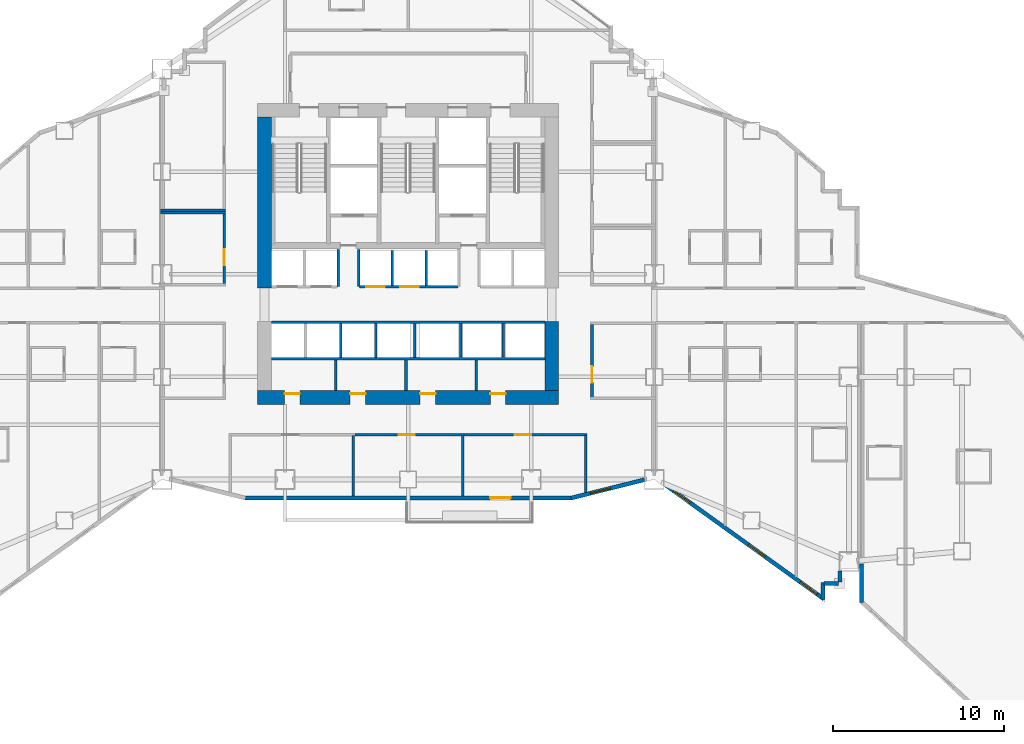
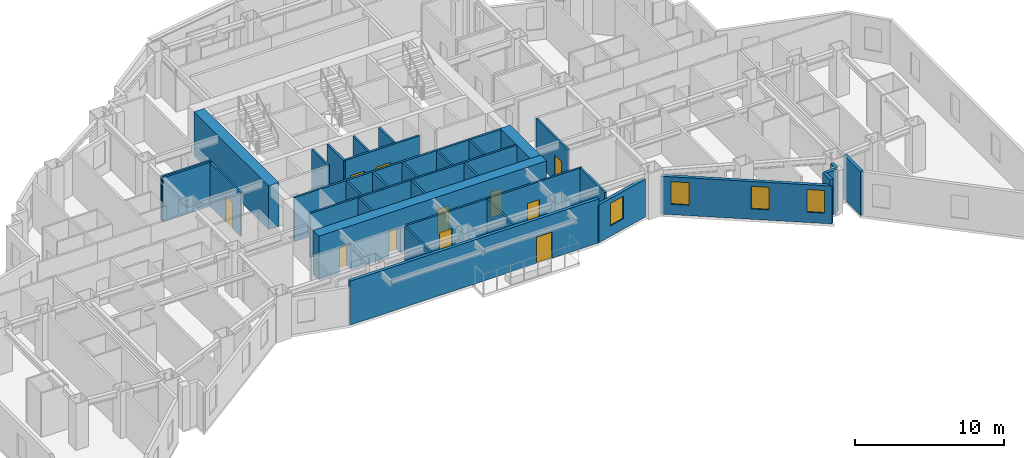
# One storey, part 9 of 17: 34 walls, 11 doors, 4 windows, 15 openings.
"""IFC4 building model written with IfcOpenShell, lengths in metres."""

from ifc_helpers import new_model, si_unit, direction, frame, frame_2d, origin, place, context, subcontext, project, spatial, rectangle, extrude, material, layer, layer_set, type_object, element, fill, save


model = new_model("IFC4")

# Units and contexts
model_context = context("Model", 3, precision=1e-05, world=origin(), true_north=direction((0.0, 1.0)))
body_context = subcontext(model_context, "Body", "Model", "MODEL_VIEW")
ifc_project = project(units=[si_unit("LENGTHUNIT", "METRE"), si_unit("AREAUNIT", "SQUARE_METRE"), si_unit("VOLUMEUNIT", "CUBIC_METRE"), si_unit("PLANEANGLEUNIT", "RADIAN"), si_unit("MASSUNIT", "GRAM", prefix="KILO")], contexts=[model_context])

# Site, building, storey
site_placement = place(None, origin())
site = spatial("IfcSite", under=ifc_project, at=site_placement, CompositionType="ELEMENT")
building_placement = place(site_placement, origin())
building = spatial("IfcBuilding", under=site, at=building_placement, Name="Haolan Belvedere Tower", CompositionType="ELEMENT")
storey_placement = place(building_placement, frame((0.0, 0.0, 81.800048828125)))
storey = spatial("IfcBuildingStorey", under=building, at=storey_placement, Name="L20", CompositionType="ELEMENT", Elevation=81.800048828125)

# Wall, openings, doors
ifc_material_1 = material(Name="Concrete C70/85", Category="concrete")
ifc_layer_1 = layer(ifc_material_1, 0.800048828125, Name="Concrete C70/85")
ifc_layer_set_1 = layer_set([ifc_layer_1], Name="Concrete C70/85")
wall_type_1 = type_object("IfcWallType", Name="WL-CORE-800", PredefinedType="SHEAR", material=ifc_layer_set_1)
wall_1_placement = place(storey_placement, frame((29.60009765625, 26.39990234375, 0.0), z_axis=(0.0, 0.0, 1.0), x_axis=(1.0, 0.0, 0.0)))
wall_1 = element("IfcWall", 1, at=wall_1_placement, inside=storey, type_object=wall_type_1, Name="L20 central core south shear wall", PredefinedType="SHEAR", context=body_context, shape_type="SweptSolid", body=[
    extrude(rectangle(XDim=17.599853515625, YDim=0.800048828125, at=frame_2d((8.7998046875, 0.0))), origin(), (0.0, 0.0, 1.0), 3.599853515625),
])
opening_1_placement = place(wall_1_placement, frame((2.469970703125, 0.0, 0.0), z_axis=(0.0, 0.0, 1.0), x_axis=(-1.0, 0.0, 0.0)))
opening_1 = element("IfcOpeningElement", 2, at=opening_1_placement, cuts=wall_1, Name="Opening FD-05", PredefinedType="OPENING", context=body_context, shape_type="SweptSolid", body=[
    extrude(rectangle(XDim=0.89990234375, YDim=2.10009765625, at=frame_2d((0.449951171875, 1.050048828125))), frame((0.0, 0.409912109375, 0.0), z_axis=(0.0, -1.0, 0.0), x_axis=(1.0, 0.0, 0.0)), (0.0, 0.0, 1.0), 0.820068359375),
])
opening_2_placement = place(wall_1_placement, frame((6.309814453125, 0.0, 0.0), z_axis=(0.0, 0.0, 1.0), x_axis=(-1.0, 0.0, 0.0)))
opening_2 = element("IfcOpeningElement", 3, at=opening_2_placement, cuts=wall_1, Name="Opening FD-05", PredefinedType="OPENING", context=body_context, shape_type="SweptSolid", body=[
    extrude(rectangle(XDim=0.89990234375, YDim=2.10009765625, at=frame_2d((0.449951171875, 1.050048828125))), frame((0.0, 0.409912109375, 0.0), z_axis=(0.0, -1.0, 0.0), x_axis=(1.0, 0.0, 0.0)), (0.0, 0.0, 1.0), 0.820068359375),
])
opening_3_placement = place(wall_1_placement, frame((10.409912109375, 0.0, 0.0), z_axis=(0.0, 0.0, 1.0), x_axis=(-1.0, 0.0, 0.0)))
opening_3 = element("IfcOpeningElement", 4, at=opening_3_placement, cuts=wall_1, Name="Opening FD-05", PredefinedType="OPENING", context=body_context, shape_type="SweptSolid", body=[
    extrude(rectangle(XDim=0.89990234375, YDim=2.10009765625, at=frame_2d((0.449951171875, 1.050048828125))), frame((0.0, 0.409912109375, 0.0), z_axis=(0.0, -1.0, 0.0), x_axis=(1.0, 0.0, 0.0)), (0.0, 0.0, 1.0), 0.820068359375),
])
opening_4_placement = place(wall_1_placement, frame((14.510009765625, 0.0, 0.0), z_axis=(0.0, 0.0, 1.0), x_axis=(-1.0, 0.0, 0.0)))
opening_4 = element("IfcOpeningElement", 5, at=opening_4_placement, cuts=wall_1, Name="Opening FD-05", PredefinedType="OPENING", context=body_context, shape_type="SweptSolid", body=[
    extrude(rectangle(XDim=0.89990234375, YDim=2.10009765625, at=frame_2d((0.449951171875, 1.050048828125))), frame((0.0, 0.409912109375, 0.0), z_axis=(0.0, -1.0, 0.0), x_axis=(1.0, 0.0, 0.0)), (0.0, 0.0, 1.0), 0.820068359375),
])
ifc_material_2 = material(Name="Galvanised fire-rated steel", Category="steel")
door_type_1 = type_object("IfcDoorType", Name="DR-FD60-900", OperationType="NOTDEFINED", PredefinedType="DOOR", material=ifc_material_2)
door_1_placement = place(opening_1_placement, origin())
door_1 = element("IfcDoor", 6, at=door_1_placement, inside=storey, type_object=door_type_1, Name="L20 door CD-L20-SCV-1", OperationType="SINGLE_SWING_LEFT", OverallHeight=2.10009765625, OverallWidth=0.89990234375, PredefinedType="DOOR", context=body_context, shape_type="SweptSolid", body=[
    extrude(rectangle(XDim=0.89990234375, YDim=2.10009765625, at=frame_2d((0.449951171875, 1.050048828125))), frame((0.0, -0.19482421875, 0.0), z_axis=(0.0, -1.0, 0.0), x_axis=(1.0, 0.0, 0.0)), (0.0, 0.0, 1.0), 0.050048828125),
])
fill(opening_1, door_1)
door_2_placement = place(opening_2_placement, origin())
door_2 = element("IfcDoor", 7, at=door_2_placement, inside=storey, type_object=door_type_1, Name="L20 door CD-L20-SCV-2", OperationType="SINGLE_SWING_RIGHT", OverallHeight=2.10009765625, OverallWidth=0.89990234375, PredefinedType="DOOR", context=body_context, shape_type="SweptSolid", body=[
    extrude(rectangle(XDim=0.89990234375, YDim=2.10009765625, at=frame_2d((0.449951171875, 1.050048828125))), frame((0.0, -0.19482421875, 0.0), z_axis=(0.0, -1.0, 0.0), x_axis=(1.0, 0.0, 0.0)), (0.0, 0.0, 1.0), 0.050048828125),
])
fill(opening_2, door_2)
door_3_placement = place(opening_3_placement, origin())
door_3 = element("IfcDoor", 8, at=door_3_placement, inside=storey, type_object=door_type_1, Name="L20 door CD-L20-SCV-3", OperationType="SINGLE_SWING_LEFT", OverallHeight=2.10009765625, OverallWidth=0.89990234375, PredefinedType="DOOR", context=body_context, shape_type="SweptSolid", body=[
    extrude(rectangle(XDim=0.89990234375, YDim=2.10009765625, at=frame_2d((0.449951171875, 1.050048828125))), frame((0.0, -0.19482421875, 0.0), z_axis=(0.0, -1.0, 0.0), x_axis=(1.0, 0.0, 0.0)), (0.0, 0.0, 1.0), 0.050048828125),
])
fill(opening_3, door_3)
door_4_placement = place(opening_4_placement, origin())
door_4 = element("IfcDoor", 9, at=door_4_placement, inside=storey, type_object=door_type_1, Name="L20 door CD-L20-SCV-4", OperationType="SINGLE_SWING_RIGHT", OverallHeight=2.10009765625, OverallWidth=0.89990234375, PredefinedType="DOOR", context=body_context, shape_type="SweptSolid", body=[
    extrude(rectangle(XDim=0.89990234375, YDim=2.10009765625, at=frame_2d((0.449951171875, 1.050048828125))), frame((0.0, -0.19482421875, 0.0), z_axis=(0.0, -1.0, 0.0), x_axis=(1.0, 0.0, 0.0)), (0.0, 0.0, 1.0), 0.050048828125),
])
fill(opening_4, door_4)

# Walls
wall_2_placement = place(storey_placement, frame((30.0, 32.800048828125, 0.0), z_axis=(0.0, 0.0, 1.0), x_axis=(0.0, 1.0, 0.0)))
element("IfcWall", 10, at=wall_2_placement, inside=storey, type_object=wall_type_1, Name="L20 central core shear wall WN", PredefinedType="SHEAR", context=body_context, shape_type="SweptSolid", body=[
    extrude(rectangle(XDim=10.0, YDim=0.800048828125, at=frame_2d((5.0, 0.0))), origin(), (0.0, 0.0, 1.0), 3.599853515625),
])
wall_3_placement = place(storey_placement, frame((46.800048828125, 26.800048828125, 0.0), z_axis=(0.0, 0.0, 1.0), x_axis=(0.0, 1.0, 0.0)))
element("IfcWall", 11, at=wall_3_placement, inside=storey, type_object=wall_type_1, Name="L20 central core shear wall ES", PredefinedType="SHEAR", context=body_context, shape_type="SweptSolid", body=[
    extrude(rectangle(XDim=4.050048828125, YDim=0.800048828125, at=frame_2d((2.02490234375, 0.0))), origin(), (0.0, 0.0, 1.0), 3.599853515625),
])

# Wall, opening, door
ifc_material_3 = material(Name="Precast concrete C40/50", Category="concrete")
ifc_layer_2 = layer(ifc_material_3, 0.239990234375, Name="Precast concrete C40/50")
ifc_layer_set_2 = layer_set([ifc_layer_2], Name="Precast concrete C40/50")
wall_type_2 = type_object("IfcWallType", Name="WL-EXT-240", PredefinedType="SOLIDWALL", material=ifc_layer_set_2)
wall_4_placement = place(storey_placement, frame((28.759765625, 20.52001953125, 0.0), z_axis=(0.0, 0.0, 1.0), x_axis=(1.0, 0.0, 0.0)))
wall_4 = element("IfcWall", 12, at=wall_4_placement, inside=storey, type_object=wall_type_2, Name="L20 pale-metal exterior spandrel wall 13.1", PredefinedType="SOLIDWALL", context=body_context, shape_type="SweptSolid", body=[
    extrude(rectangle(XDim=19.280517578125, YDim=0.239990234375, at=frame_2d((9.64013671875, 0.0))), origin(), (0.0, 0.0, 1.0), 3.599853515625),
])
opening_5_placement = place(wall_4_placement, frame((15.64013671875, 0.0, 0.0), z_axis=(0.0, 0.0, 1.0), x_axis=(-1.0, 0.0, 0.0)))
opening_5 = element("IfcOpeningElement", 13, at=opening_5_placement, cuts=wall_4, Name="Opening BD-01", PredefinedType="OPENING", context=body_context, shape_type="SweptSolid", body=[
    extrude(rectangle(XDim=1.199951171875, YDim=2.14990234375, at=frame_2d((0.60009765625, 1.074951171875))), frame((0.0, 0.1298828125, 0.0), z_axis=(0.0, -1.0, 0.0), x_axis=(1.0, 0.0, 0.0)), (0.0, 0.0, 1.0), 0.260009765625),
])
ifc_material_4 = material(Name="Thermally broken pale-metal aluminium and Low-E glass", Category="aluminium")
door_type_2 = type_object("IfcDoorType", Name="DR-BAL-1200", OperationType="NOTDEFINED", PredefinedType="DOOR", material=ifc_material_4)
door_5_placement = place(opening_5_placement, origin())
door_5 = element("IfcDoor", 14, at=door_5_placement, inside=storey, type_object=door_type_2, Name="L20 tree-balcony access door 1", OperationType="SINGLE_SWING_RIGHT", OverallHeight=2.14990234375, OverallWidth=1.199951171875, PredefinedType="DOOR", context=body_context, shape_type="SweptSolid", body=[
    extrude(rectangle(XDim=1.199951171875, YDim=2.14990234375, at=frame_2d((0.60009765625, 1.074951171875))), frame((0.0, 0.02490234375, 0.0), z_axis=(0.0, -1.0, 0.0), x_axis=(1.0, 0.0, 0.0)), (0.0, 0.0, 1.0), 0.050048828125),
])
fill(opening_5, door_5)

# Wall, opening, window
wall_5_placement = place(storey_placement, frame((47.931884765625, 20.506591796875, 0.0), z_axis=(0.0, 0.0, 1.0), x_axis=(0.970145739396, 0.242522667667, 0.0)))
wall_5 = element("IfcWall", 15, at=wall_5_placement, inside=storey, type_object=wall_type_2, Name="L20 pale-metal exterior spandrel wall 14.1", PredefinedType="SOLIDWALL", context=body_context, shape_type="SweptSolid", body=[
    extrude(rectangle(XDim=4.433349609375, YDim=0.239990234375, at=frame_2d((2.216796875, 0.0))), origin(), (0.0, 0.0, 1.0), 3.096923828125),
])
opening_6_placement = place(wall_5_placement, frame((1.15625, 0.0, 0.85009765625)))
opening_6 = element("IfcOpeningElement", 16, at=opening_6_placement, cuts=wall_5, Name="Opening W-01", PredefinedType="OPENING", context=body_context, shape_type="SweptSolid", body=[
    extrude(rectangle(XDim=1.199951171875, YDim=1.85009765625, at=frame_2d((0.60009765625, 0.925048828125))), frame((0.0, 0.1298828125, 0.0), z_axis=(0.0, -1.0, 0.0), x_axis=(1.0, 0.0, 0.0)), (0.0, 0.0, 1.0), 0.260009765625),
])
ifc_material_5 = material(Name="Anodised aluminium 6063-T6 and Low-E glass", Category="aluminium")
window_type = type_object("IfcWindowType", Name="WN-DECO-Z1", PartitioningType="SINGLE_PANEL", PredefinedType="WINDOW", material=ifc_material_5)
window_1_placement = place(opening_6_placement, origin())
window_1 = element("IfcWindow", 17, at=window_1_placement, inside=storey, type_object=window_type, Name="L20 Art Deco chevron window 1", OverallHeight=1.85009765625, OverallWidth=1.199951171875, PartitioningType="SINGLE_PANEL", PredefinedType="WINDOW", context=body_context, shape_type="SweptSolid", body=[
    extrude(rectangle(XDim=1.199951171875, YDim=1.85009765625, at=frame_2d((0.60009765625, 0.925048828125))), frame((0.0, 0.030029296875, 0.0), z_axis=(0.0, -1.0, 0.0), x_axis=(1.0, 0.0, 0.0)), (0.0, 0.0, 1.0), 0.06005859375),
])
fill(opening_6, window_1)

# Wall, openings, windows
wall_6_placement = place(storey_placement, frame((53.366943359375, 21.339599609375, 0.0), z_axis=(0.0, 0.0, 1.0), x_axis=(0.811543176492, -0.58429245476, 0.0)))
wall_6 = element("IfcWall", 18, at=wall_6_placement, inside=storey, type_object=wall_type_2, Name="L20 pale-metal exterior spandrel wall 15.1", PredefinedType="SOLIDWALL", context=body_context, shape_type="SweptSolid", body=[
    extrude(rectangle(XDim=11.53076171875, YDim=0.239990234375, at=frame_2d((5.765380859375, 0.0))), origin(), (0.0, 0.0, 1.0), 3.096923828125),
])
opening_7_placement = place(wall_6_placement, frame((0.699951171875, 0.0, 0.85009765625)))
opening_7 = element("IfcOpeningElement", 19, at=opening_7_placement, cuts=wall_6, Name="Opening W-01", PredefinedType="OPENING", context=body_context, shape_type="SweptSolid", body=[
    extrude(rectangle(XDim=1.199951171875, YDim=1.85009765625, at=frame_2d((0.60009765625, 0.925048828125))), frame((0.0, 0.1298828125, 0.0), z_axis=(0.0, -1.0, 0.0), x_axis=(1.0, 0.0, 0.0)), (0.0, 0.0, 1.0), 0.260009765625),
])
opening_8_placement = place(wall_6_placement, frame((6.10009765625, 0.0, 0.85009765625)))
opening_8 = element("IfcOpeningElement", 20, at=opening_8_placement, cuts=wall_6, Name="Opening W-01", PredefinedType="OPENING", context=body_context, shape_type="SweptSolid", body=[
    extrude(rectangle(XDim=1.199951171875, YDim=1.85009765625, at=frame_2d((0.60009765625, 0.925048828125))), frame((0.0, 0.1298828125, 0.0), z_axis=(0.0, -1.0, 0.0), x_axis=(1.0, 0.0, 0.0)), (0.0, 0.0, 1.0), 0.260009765625),
])
opening_9_placement = place(wall_6_placement, frame((9.842041015625, 0.0, 0.85009765625)))
opening_9 = element("IfcOpeningElement", 21, at=opening_9_placement, cuts=wall_6, Name="Opening W-01", PredefinedType="OPENING", context=body_context, shape_type="SweptSolid", body=[
    extrude(rectangle(XDim=1.199951171875, YDim=1.85009765625, at=frame_2d((0.60009765625, 0.925048828125))), frame((0.0, 0.1298828125, 0.0), z_axis=(0.0, -1.0, 0.0), x_axis=(1.0, 0.0, 0.0)), (0.0, 0.0, 1.0), 0.260009765625),
])
window_2_placement = place(opening_7_placement, origin())
window_2 = element("IfcWindow", 22, at=window_2_placement, inside=storey, type_object=window_type, Name="L20 Art Deco chevron window 1", OverallHeight=1.85009765625, OverallWidth=1.199951171875, PartitioningType="SINGLE_PANEL", PredefinedType="WINDOW", context=body_context, shape_type="SweptSolid", body=[
    extrude(rectangle(XDim=1.199951171875, YDim=1.85009765625, at=frame_2d((0.60009765625, 0.925048828125))), frame((0.0, 0.030029296875, 0.0), z_axis=(0.0, -1.0, 0.0), x_axis=(1.0, 0.0, 0.0)), (0.0, 0.0, 1.0), 0.06005859375),
])
fill(opening_7, window_2)
window_3_placement = place(opening_8_placement, origin())
window_3 = element("IfcWindow", 23, at=window_3_placement, inside=storey, type_object=window_type, Name="L20 Art Deco chevron window 2", OverallHeight=1.85009765625, OverallWidth=1.199951171875, PartitioningType="SINGLE_PANEL", PredefinedType="WINDOW", context=body_context, shape_type="SweptSolid", body=[
    extrude(rectangle(XDim=1.199951171875, YDim=1.85009765625, at=frame_2d((0.60009765625, 0.925048828125))), frame((0.0, 0.030029296875, 0.0), z_axis=(0.0, -1.0, 0.0), x_axis=(1.0, 0.0, 0.0)), (0.0, 0.0, 1.0), 0.06005859375),
])
fill(opening_8, window_3)
window_4_placement = place(opening_9_placement, origin())
window_4 = element("IfcWindow", 24, at=window_4_placement, inside=storey, type_object=window_type, Name="L20 Art Deco guestroom window 2", OverallHeight=1.85009765625, OverallWidth=1.199951171875, PartitioningType="SINGLE_PANEL", PredefinedType="WINDOW", context=body_context, shape_type="SweptSolid", body=[
    extrude(rectangle(XDim=1.199951171875, YDim=1.85009765625, at=frame_2d((0.60009765625, 0.925048828125))), frame((0.0, 0.030029296875, 0.0), z_axis=(0.0, -1.0, 0.0), x_axis=(1.0, 0.0, 0.0)), (0.0, 0.0, 1.0), 0.06005859375),
])
fill(opening_9, window_4)

# Walls
wall_7_placement = place(storey_placement, frame((62.679931640625, 14.579345703125, 0.0), z_axis=(0.0, 0.0, 1.0), x_axis=(0.0, 1.0, 0.0)))
element("IfcWall", 25, at=wall_7_placement, inside=storey, type_object=wall_type_2, Name="L20 pale-metal exterior spandrel wall 16.1", PredefinedType="SOLIDWALL", context=body_context, shape_type="SweptSolid", body=[
    extrude(rectangle(XDim=0.99560546875, YDim=0.239990234375, at=frame_2d((0.497802734375, 0.0))), origin(), (0.0, 0.0, 1.0), 3.599853515625),
])
wall_8_placement = place(storey_placement, frame((62.7451171875, 15.52001953125, 0.0), z_axis=(0.0, 0.0, 1.0), x_axis=(1.0, 0.0, 0.0)))
element("IfcWall", 26, at=wall_8_placement, inside=storey, type_object=wall_type_2, Name="L20 pale-metal exterior spandrel wall 17.1", PredefinedType="SOLIDWALL", context=body_context, shape_type="SweptSolid", body=[
    extrude(rectangle(XDim=0.849853515625, YDim=0.239990234375, at=frame_2d((0.4248046875, 0.0))), origin(), (0.0, 0.0, 1.0), 3.599853515625),
])
wall_9_placement = place(storey_placement, frame((63.679931640625, 15.60498046875, 0.0), z_axis=(0.0, 0.0, 1.0), x_axis=(0.0, 1.0, 0.0)))
element("IfcWall", 27, at=wall_9_placement, inside=storey, type_object=wall_type_2, Name="L20 pale-metal exterior spandrel wall 18.1", PredefinedType="SOLIDWALL", context=body_context, shape_type="SweptSolid", body=[
    extrude(rectangle(XDim=0.6279296875, YDim=0.239990234375, at=frame_2d((0.31396484375, 0.0))), origin(), (0.0, 0.0, 1.0), 3.599853515625),
])
wall_10_placement = place(storey_placement, frame((64.919921875, 16.639892578125, 0.0), z_axis=(0.0, 0.0, 1.0), x_axis=(0.0, -1.0, 0.0)))
element("IfcWall", 28, at=wall_10_placement, inside=storey, type_object=wall_type_2, Name="L20 pale-metal exterior spandrel wall 20.1", PredefinedType="SOLIDWALL", context=body_context, shape_type="SweptSolid", body=[
    extrude(rectangle(XDim=2.24267578125, YDim=0.239990234375, at=frame_2d((1.121337890625, 0.0))), origin(), (0.0, 0.0, 1.0), 3.599853515625),
])
ifc_material_6 = material(Name="Double gypsum acoustic stud partition", Category="masonry")
ifc_layer_3 = layer(ifc_material_6, 0.14990234375, Name="Double gypsum acoustic stud partition")
ifc_layer_set_3 = layer_set([ifc_layer_3], Name="Double gypsum acoustic stud partition")
wall_type_3 = type_object("IfcWallType", Name="WL-PART-150", PredefinedType="PARTITIONING", material=ifc_layer_set_3)
wall_11_placement = place(storey_placement, frame((30.39990234375, 28.659912109375, 0.0), z_axis=(0.0, 0.0, 1.0), x_axis=(1.0, 0.0, 0.0)))
element("IfcWall", 29, at=wall_11_placement, inside=storey, type_object=wall_type_3, Name="L20 interior partition IW-L20-SSTRIP-N", PredefinedType="PARTITIONING", context=body_context, shape_type="SweptSolid", body=[
    extrude(rectangle(XDim=16.0, YDim=0.14990234375, at=frame_2d((8.0, 0.0))), origin(), (0.0, 0.0, 1.0), 3.599853515625),
])
for number, where, z_axis, x_axis, name in (
    (30, (34.179931640625, 26.81005859375, 0.0), (0.0, 0.0, 1.0), (0.0, 1.0, 0.0), "L20 interior partition IW-L20-SCV-DIV-1"),
    (31, (38.280029296875, 26.81005859375, 0.0), (0.0, 0.0, 1.0), (0.0, 1.0, 0.0), "L20 interior partition IW-L20-SCV-DIV-2"),
    (32, (42.3798828125, 26.81005859375, 0.0), (0.0, 0.0, 1.0), (0.0, 1.0, 0.0), "L20 interior partition IW-L20-SCV-DIV-3"),
):
    element("IfcWall", number, at=place(storey_placement, frame(where, z_axis=z_axis, x_axis=x_axis)), inside=storey, type_object=wall_type_3, Name=name, PredefinedType="PARTITIONING", context=body_context, shape_type="SweptSolid", body=[
        extrude(rectangle(XDim=1.77001953125, YDim=0.14990234375, at=frame_2d((0.885009765625, 0.0))), origin(), (0.0, 0.0, 1.0), 3.599853515625),
    ])
wall_12_placement = place(storey_placement, frame((23.919921875, 37.199951171875, 0.0), z_axis=(0.0, 0.0, 1.0), x_axis=(1.0, 0.0, 0.0)))
element("IfcWall", 33, at=wall_12_placement, inside=storey, type_object=wall_type_3, Name="L20 interior partition IW-L20-HSK-N", PredefinedType="PARTITIONING", context=body_context, shape_type="SweptSolid", body=[
    extrude(rectangle(XDim=3.800048828125, YDim=0.14990234375, at=frame_2d((1.89990234375, 0.0))), origin(), (0.0, 0.0, 1.0), 3.599853515625),
])

# Wall, opening, door
wall_13_placement = place(storey_placement, frame((27.639892578125, 33.06005859375, 0.0), z_axis=(0.0, 0.0, 1.0), x_axis=(0.0, 1.0, 0.0)))
wall_13 = element("IfcWall", 34, at=wall_13_placement, inside=storey, type_object=wall_type_3, Name="L20 interior partition IW-L20-HSK-E", PredefinedType="PARTITIONING", context=body_context, shape_type="SweptSolid", body=[
    extrude(rectangle(XDim=4.079833984375, YDim=0.14990234375, at=frame_2d((2.0400390625, 0.0))), origin(), (0.0, 0.0, 1.0), 3.599853515625),
])
opening_10_placement = place(wall_13_placement, frame((2.010009765625, 0.0, 0.0), z_axis=(0.0, 0.0, 1.0), x_axis=(-1.0, 0.0, 0.0)))
opening_10 = element("IfcOpeningElement", 35, at=opening_10_placement, cuts=wall_13, Name="Opening ID-03", PredefinedType="OPENING", context=body_context, shape_type="SweptSolid", body=[
    extrude(rectangle(XDim=0.949951171875, YDim=2.1201171875, at=frame_2d((0.47509765625, 1.06005859375))), frame((0.0, 0.0849609375, 0.0), z_axis=(0.0, -1.0, 0.0), x_axis=(1.0, 0.0, 0.0)), (0.0, 0.0, 1.0), 0.169921875),
])
ifc_material_7 = material(Name="Painted solid-core timber", Category="wood")
door_type_3 = type_object("IfcDoorType", Name="DR-INT-950", OperationType="NOTDEFINED", PredefinedType="DOOR", material=ifc_material_7)
door_6_placement = place(opening_10_placement, origin())
door_6 = element("IfcDoor", 36, at=door_6_placement, inside=storey, type_object=door_type_3, Name="L20 door ID-L20-HSK", OperationType="SINGLE_SWING_LEFT", OverallHeight=2.1201171875, OverallWidth=0.949951171875, PredefinedType="DOOR", context=body_context, shape_type="SweptSolid", body=[
    extrude(rectangle(XDim=0.949951171875, YDim=2.1201171875, at=frame_2d((0.47509765625, 1.06005859375))), frame((0.0, 0.02490234375, 0.0), z_axis=(0.0, -1.0, 0.0), x_axis=(1.0, 0.0, 0.0)), (0.0, 0.0, 1.0), 0.050048828125),
])
fill(opening_10, door_6)

# Wall
wall_14_placement = place(storey_placement, frame((23.919921875, 37.360107421875, 0.0), z_axis=(0.0, 0.0, 1.0), x_axis=(1.0, 0.0, 0.0)))
element("IfcWall", 37, at=wall_14_placement, inside=storey, type_object=wall_type_3, Name="L20 interior partition IW-L20-MTG-S", PredefinedType="PARTITIONING", context=body_context, shape_type="SweptSolid", body=[
    extrude(rectangle(XDim=3.800048828125, YDim=0.14990234375, at=frame_2d((1.89990234375, 0.0))), origin(), (0.0, 0.0, 1.0), 3.599853515625),
])

# Wall, opening, door
wall_15_placement = place(storey_placement, frame((49.159912109375, 26.409912109375, 0.0), z_axis=(0.0, 0.0, 1.0), x_axis=(0.0, 1.0, 0.0)))
wall_15 = element("IfcWall", 38, at=wall_15_placement, inside=storey, type_object=wall_type_3, Name="L20 interior partition IW-L20-PKTE-W", PredefinedType="PARTITIONING", context=body_context, shape_type="SweptSolid", body=[
    extrude(rectangle(XDim=4.260009765625, YDim=0.14990234375, at=frame_2d((2.1298828125, 0.0))), origin(), (0.0, 0.0, 1.0), 3.599853515625),
])
opening_11_placement = place(wall_15_placement, frame((0.860107421875, 0.0, 0.0)))
opening_11 = element("IfcOpeningElement", 39, at=opening_11_placement, cuts=wall_15, Name="Opening ID-03", PredefinedType="OPENING", context=body_context, shape_type="SweptSolid", body=[
    extrude(rectangle(XDim=0.949951171875, YDim=2.1201171875, at=frame_2d((0.47509765625, 1.06005859375))), frame((0.0, 0.0849609375, 0.0), z_axis=(0.0, -1.0, 0.0), x_axis=(1.0, 0.0, 0.0)), (0.0, 0.0, 1.0), 0.169921875),
])
door_7_placement = place(opening_11_placement, origin())
door_7 = element("IfcDoor", 40, at=door_7_placement, inside=storey, type_object=door_type_3, Name="L20 door ID-L20-PKTE", OperationType="SINGLE_SWING_RIGHT", OverallHeight=2.1201171875, OverallWidth=0.949951171875, PredefinedType="DOOR", context=body_context, shape_type="SweptSolid", body=[
    extrude(rectangle(XDim=0.949951171875, YDim=2.1201171875, at=frame_2d((0.47509765625, 1.06005859375))), frame((0.0, 0.02490234375, 0.0), z_axis=(0.0, -1.0, 0.0), x_axis=(1.0, 0.0, 0.0)), (0.0, 0.0, 1.0), 0.050048828125),
])
fill(opening_11, door_7)

# Wall
wall_16_placement = place(storey_placement, frame((35.199951171875, 20.625, 0.0), z_axis=(0.0, 0.0, 1.0), x_axis=(0.0, 1.0, 0.0)))
element("IfcWall", 41, at=wall_16_placement, inside=storey, type_object=wall_type_3, Name="L20 interior partition IW-L20-KS2-E", PredefinedType="PARTITIONING", context=body_context, shape_type="SweptSolid", body=[
    extrude(rectangle(XDim=3.534912109375, YDim=0.14990234375, at=frame_2d((1.767578125, 0.0))), origin(), (0.0, 0.0, 1.0), 3.599853515625),
])

# Wall, opening, door
wall_17_placement = place(storey_placement, frame((35.281982421875, 24.219970703125, 0.0), z_axis=(0.0, 0.0, 1.0), x_axis=(1.0, 0.0, 0.0)))
wall_17 = element("IfcWall", 42, at=wall_17_placement, inside=storey, type_object=wall_type_3, Name="L20 interior partition IW-L20-KS3-N", PredefinedType="PARTITIONING", context=body_context, shape_type="SweptSolid", body=[
    extrude(rectangle(XDim=6.39794921875, YDim=0.14990234375, at=frame_2d((3.198974609375, 0.0))), origin(), (0.0, 0.0, 1.0), 3.599853515625),
])
opening_12_placement = place(wall_17_placement, frame((3.512939453125, 0.0, 0.0), z_axis=(0.0, 0.0, 1.0), x_axis=(-1.0, 0.0, 0.0)))
opening_12 = element("IfcOpeningElement", 43, at=opening_12_placement, cuts=wall_17, Name="Opening ID-03", PredefinedType="OPENING", context=body_context, shape_type="SweptSolid", body=[
    extrude(rectangle(XDim=0.949951171875, YDim=2.1201171875, at=frame_2d((0.47509765625, 1.06005859375))), frame((0.0, 0.0849609375, 0.0), z_axis=(0.0, -1.0, 0.0), x_axis=(1.0, 0.0, 0.0)), (0.0, 0.0, 1.0), 0.169921875),
])
door_8_placement = place(opening_12_placement, origin())
door_8 = element("IfcDoor", 44, at=door_8_placement, inside=storey, type_object=door_type_3, Name="L20 door ID-L20-KS3", OperationType="SINGLE_SWING_RIGHT", OverallHeight=2.1201171875, OverallWidth=0.949951171875, PredefinedType="DOOR", context=body_context, shape_type="SweptSolid", body=[
    extrude(rectangle(XDim=0.949951171875, YDim=2.1201171875, at=frame_2d((0.47509765625, 1.06005859375))), frame((0.0, 0.02490234375, 0.0), z_axis=(0.0, -1.0, 0.0), x_axis=(1.0, 0.0, 0.0)), (0.0, 0.0, 1.0), 0.050048828125),
])
fill(opening_12, door_8)

# Wall
wall_18_placement = place(storey_placement, frame((41.60009765625, 20.625, 0.0), z_axis=(0.0, 0.0, 1.0), x_axis=(0.0, 1.0, 0.0)))
element("IfcWall", 45, at=wall_18_placement, inside=storey, type_object=wall_type_3, Name="L20 interior partition IW-L20-KS3-E", PredefinedType="PARTITIONING", context=body_context, shape_type="SweptSolid", body=[
    extrude(rectangle(XDim=3.534912109375, YDim=0.14990234375, at=frame_2d((1.767578125, 0.0))), origin(), (0.0, 0.0, 1.0), 3.599853515625),
])

# Wall, opening, door
wall_19_placement = place(storey_placement, frame((41.681884765625, 24.219970703125, 0.0), z_axis=(0.0, 0.0, 1.0), x_axis=(1.0, 0.0, 0.0)))
wall_19 = element("IfcWall", 46, at=wall_19_placement, inside=storey, type_object=wall_type_3, Name="L20 interior partition IW-L20-KS4-N", PredefinedType="PARTITIONING", context=body_context, shape_type="SweptSolid", body=[
    extrude(rectangle(XDim=7.197998046875, YDim=0.14990234375, at=frame_2d((3.59912109375, 0.0))), origin(), (0.0, 0.0, 1.0), 3.599853515625),
])
opening_13_placement = place(wall_19_placement, frame((3.912841796875, 0.0, 0.0), z_axis=(0.0, 0.0, 1.0), x_axis=(-1.0, 0.0, 0.0)))
opening_13 = element("IfcOpeningElement", 47, at=opening_13_placement, cuts=wall_19, Name="Opening ID-03", PredefinedType="OPENING", context=body_context, shape_type="SweptSolid", body=[
    extrude(rectangle(XDim=0.949951171875, YDim=2.1201171875, at=frame_2d((0.47509765625, 1.06005859375))), frame((0.0, 0.0849609375, 0.0), z_axis=(0.0, -1.0, 0.0), x_axis=(1.0, 0.0, 0.0)), (0.0, 0.0, 1.0), 0.169921875),
])
door_9_placement = place(opening_13_placement, origin())
door_9 = element("IfcDoor", 48, at=door_9_placement, inside=storey, type_object=door_type_3, Name="L20 door ID-L20-KS4", OperationType="SINGLE_SWING_LEFT", OverallHeight=2.1201171875, OverallWidth=0.949951171875, PredefinedType="DOOR", context=body_context, shape_type="SweptSolid", body=[
    extrude(rectangle(XDim=0.949951171875, YDim=2.1201171875, at=frame_2d((0.47509765625, 1.06005859375))), frame((0.0, 0.02490234375, 0.0), z_axis=(0.0, -1.0, 0.0), x_axis=(1.0, 0.0, 0.0)), (0.0, 0.0, 1.0), 0.050048828125),
])
fill(opening_13, door_9)

# Walls
wall_20_placement = place(storey_placement, frame((48.800048828125, 20.83203125, 0.0), z_axis=(0.0, 0.0, 1.0), x_axis=(0.0, 1.0, 0.0)))
element("IfcWall", 49, at=wall_20_placement, inside=storey, type_object=wall_type_3, Name="L20 interior partition IW-L20-KS4-E", PredefinedType="PARTITIONING", context=body_context, shape_type="SweptSolid", body=[
    extrude(rectangle(XDim=3.327880859375, YDim=0.14990234375, at=frame_2d((1.6640625, 0.0))), origin(), (0.0, 0.0, 1.0), 3.599853515625),
])
ifc_material_8 = material(Name="Gypsum fire shaftwall assembly", Category="masonry")
ifc_layer_4 = layer(ifc_material_8, 0.1650390625, Name="Gypsum fire shaftwall assembly")
ifc_layer_set_4 = layer_set([ifc_layer_4], Name="Gypsum fire shaftwall assembly")
wall_type_4 = type_object("IfcWallType", Name="WL-SHAFT-160", PredefinedType="SOLIDWALL", material=ifc_layer_set_4)
for number, where, z_axis, x_axis, name in (
    (50, (34.31005859375, 32.8798828125, 0.0), (0.0, 0.0, 1.0), (0.0, 1.0, 0.0), "L20 interior partition IW-L20-SVP-W-SV1"),
    (51, (35.510009765625, 32.8798828125, 0.0), (0.0, 0.0, 1.0), (0.0, 1.0, 0.0), "L20 interior partition IW-L20-SVP-E-SV1"),
):
    element("IfcWall", number, at=place(storey_placement, frame(where, z_axis=z_axis, x_axis=x_axis)), inside=storey, type_object=wall_type_4, Name=name, PredefinedType="SOLIDWALL", context=body_context, shape_type="SweptSolid", body=[
        extrude(rectangle(XDim=2.170166015625, YDim=0.14990234375, at=frame_2d((1.0849609375, 0.0))), origin(), (0.0, 0.0, 1.0), 3.599853515625),
    ])

# Wall, openings, doors
wall_21_placement = place(storey_placement, frame((35.570068359375, 32.8798828125, 0.0), z_axis=(0.0, 0.0, 1.0), x_axis=(1.0, 0.0, 0.0)))
wall_21 = element("IfcWall", 52, at=wall_21_placement, inside=storey, type_object=wall_type_4, Name="L20 interior partition IW-L20-ROW-PN2", PredefinedType="SOLIDWALL", context=body_context, shape_type="SweptSolid", body=[
    extrude(rectangle(XDim=5.739990234375, YDim=0.159912109375, at=frame_2d((2.8701171875, 0.0))), origin(), (0.0, 0.0, 1.0), 3.599853515625),
])
opening_14_placement = place(wall_21_placement, frame((1.47021484375, 0.0, 0.0), z_axis=(0.0, 0.0, 1.0), x_axis=(-1.0, 0.0, 0.0)))
opening_14 = element("IfcOpeningElement", 53, at=opening_14_placement, cuts=wall_21, Name="Opening LD-01", PredefinedType="OPENING", context=body_context, shape_type="SweptSolid", body=[
    extrude(rectangle(XDim=1.10009765625, YDim=2.199951171875, at=frame_2d((0.550048828125, 1.10009765625))), frame((0.0, 0.08984375, 0.0), z_axis=(0.0, -1.0, 0.0), x_axis=(1.0, 0.0, 0.0)), (0.0, 0.0, 1.0), 0.179931640625),
])
opening_15_placement = place(wall_21_placement, frame((3.460205078125, 0.0, 0.0), z_axis=(0.0, 0.0, 1.0), x_axis=(-1.0, 0.0, 0.0)))
opening_15 = element("IfcOpeningElement", 54, at=opening_15_placement, cuts=wall_21, Name="Opening LD-01", PredefinedType="OPENING", context=body_context, shape_type="SweptSolid", body=[
    extrude(rectangle(XDim=1.10009765625, YDim=2.199951171875, at=frame_2d((0.550048828125, 1.10009765625))), frame((0.0, 0.08984375, 0.0), z_axis=(0.0, -1.0, 0.0), x_axis=(1.0, 0.0, 0.0)), (0.0, 0.0, 1.0), 0.179931640625),
])
ifc_material_9 = material(Name="Brushed champagne stainless steel 316L", Category="steel")
door_type_4 = type_object("IfcDoorType", Name="DR-LIFT-1100", OperationType="SLIDING_TO_LEFT", PredefinedType="DOOR", material=ifc_material_9)
door_10_placement = place(opening_14_placement, origin())
door_10 = element("IfcDoor", 55, at=door_10_placement, inside=storey, type_object=door_type_4, Name="L20 door ID-L20-LD-PL3", OperationType="SLIDING_TO_LEFT", OverallHeight=2.199951171875, OverallWidth=1.10009765625, PredefinedType="DOOR", context=body_context, shape_type="SweptSolid", body=[
    extrude(rectangle(XDim=1.10009765625, YDim=2.199951171875, at=frame_2d((0.550048828125, 1.10009765625))), frame((0.0, 0.02490234375, 0.0), z_axis=(0.0, -1.0, 0.0), x_axis=(1.0, 0.0, 0.0)), (0.0, 0.0, 1.0), 0.050048828125),
])
fill(opening_14, door_10)
door_11_placement = place(opening_15_placement, origin())
door_11 = element("IfcDoor", 56, at=door_11_placement, inside=storey, type_object=door_type_4, Name="L20 door ID-L20-LD-PL4", OperationType="SLIDING_TO_LEFT", OverallHeight=2.199951171875, OverallWidth=1.10009765625, PredefinedType="DOOR", context=body_context, shape_type="SweptSolid", body=[
    extrude(rectangle(XDim=1.10009765625, YDim=2.199951171875, at=frame_2d((0.550048828125, 1.10009765625))), frame((0.0, 0.02490234375, 0.0), z_axis=(0.0, -1.0, 0.0), x_axis=(1.0, 0.0, 0.0)), (0.0, 0.0, 1.0), 0.050048828125),
])
fill(opening_15, door_11)

# Walls
for number, where, z_axis, x_axis, name in (
    (57, (37.47998046875, 32.949951171875, 0.0), (0.0, 0.0, 1.0), (0.0, 1.0, 0.0), "L20 interior partition IW-L20-DIV-PL3"),
    (58, (39.469970703125, 32.949951171875, 0.0), (0.0, 0.0, 1.0), (0.0, 1.0, 0.0), "L20 interior partition IW-L20-DIV-PL4"),
):
    element("IfcWall", number, at=place(storey_placement, frame(where, z_axis=z_axis, x_axis=x_axis)), inside=storey, type_object=wall_type_4, Name=name, PredefinedType="SOLIDWALL", context=body_context, shape_type="SweptSolid", body=[
        extrude(rectangle(XDim=2.050048828125, YDim=0.14990234375, at=frame_2d((1.02490234375, 0.0))), origin(), (0.0, 0.0, 1.0), 3.599853515625),
    ])
wall_22_placement = place(storey_placement, frame((30.39990234375, 30.800048828125, 0.0), z_axis=(0.0, 0.0, 1.0), x_axis=(1.0, 0.0, 0.0)))
element("IfcWall", 59, at=wall_22_placement, inside=storey, type_object=wall_type_4, Name="L20 interior partition IW-L20-ROW-PS", PredefinedType="SOLIDWALL", context=body_context, shape_type="SweptSolid", body=[
    extrude(rectangle(XDim=16.0, YDim=0.159912109375, at=frame_2d((8.0, 0.0))), origin(), (0.0, 0.0, 1.0), 3.599853515625),
])
for number, where, z_axis, x_axis, name in (
    (60, (34.4599609375, 28.735107421875, 0.0), (0.0, 0.0, 1.0), (0.0, 1.0, 0.0), "L20 interior partition IW-L20-DIV-PM2"),
    (61, (36.52001953125, 28.735107421875, 0.0), (0.0, 0.0, 1.0), (0.0, 1.0, 0.0), "L20 interior partition IW-L20-DIV-PM3"),
    (62, (38.800048828125, 28.735107421875, 0.0), (0.0, 0.0, 1.0), (0.0, 1.0, 0.0), "L20 interior partition IW-L20-DIV-PM4"),
):
    element("IfcWall", number, at=place(storey_placement, frame(where, z_axis=z_axis, x_axis=x_axis)), inside=storey, type_object=wall_type_4, Name=name, PredefinedType="SOLIDWALL", context=body_context, shape_type="SweptSolid", body=[
        extrude(rectangle(XDim=1.98486328125, YDim=0.14990234375, at=frame_2d((0.992431640625, 0.0))), origin(), (0.0, 0.0, 1.0), 3.599853515625),
    ])
for number, where, z_axis, x_axis, name in (
    (63, (41.469970703125, 28.75, 0.0), (0.0, 0.0, 1.0), (0.0, 1.0, 0.0), "L20 interior partition IW-L20-DIV-OB1"),
    (64, (43.97998046875, 28.75, 0.0), (0.0, 0.0, 1.0), (0.0, 1.0, 0.0), "L20 interior partition IW-L20-DIV-OB2"),
):
    element("IfcWall", number, at=place(storey_placement, frame(where, z_axis=z_axis, x_axis=x_axis)), inside=storey, type_object=wall_type_4, Name=name, PredefinedType="SOLIDWALL", context=body_context, shape_type="SweptSolid", body=[
        extrude(rectangle(XDim=1.985107421875, YDim=0.14990234375, at=frame_2d((0.99267578125, 0.0))), origin(), (0.0, 0.0, 1.0), 3.599853515625),
    ])

save(model, "model.ifc")
